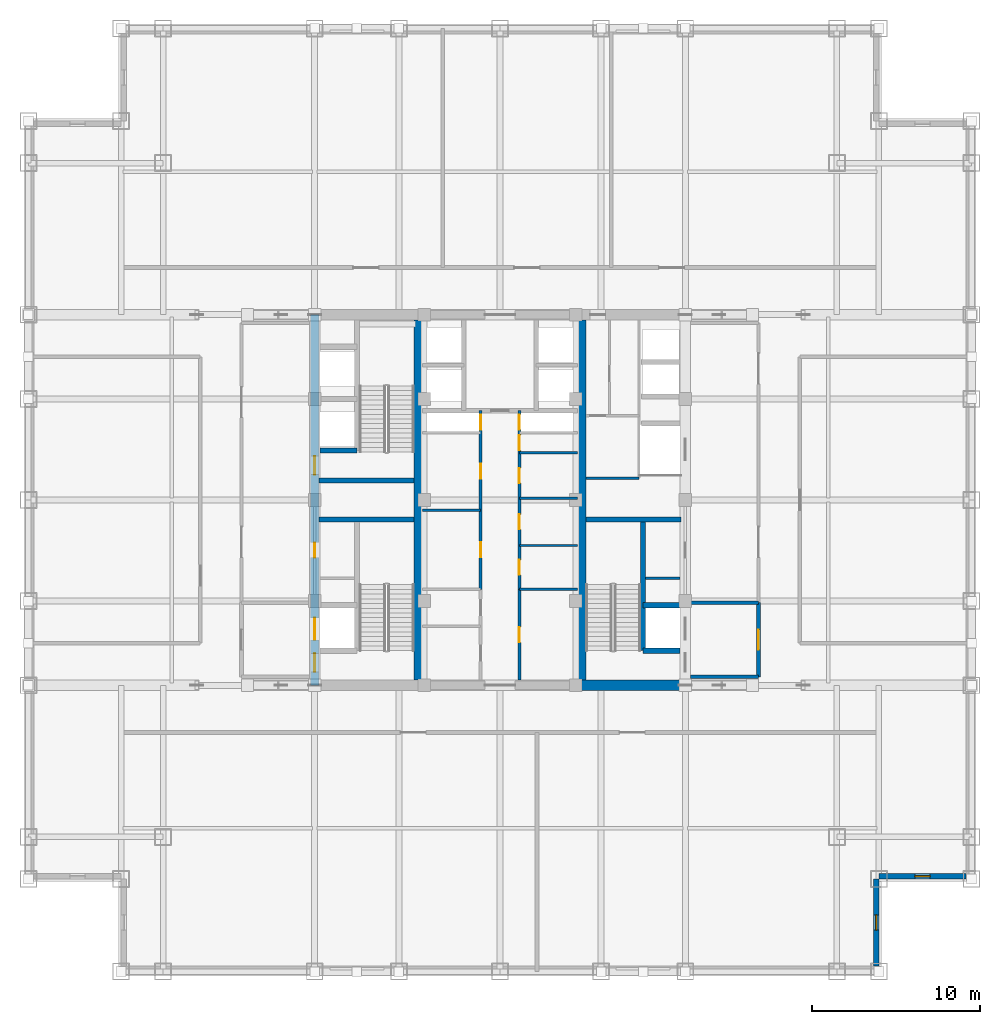
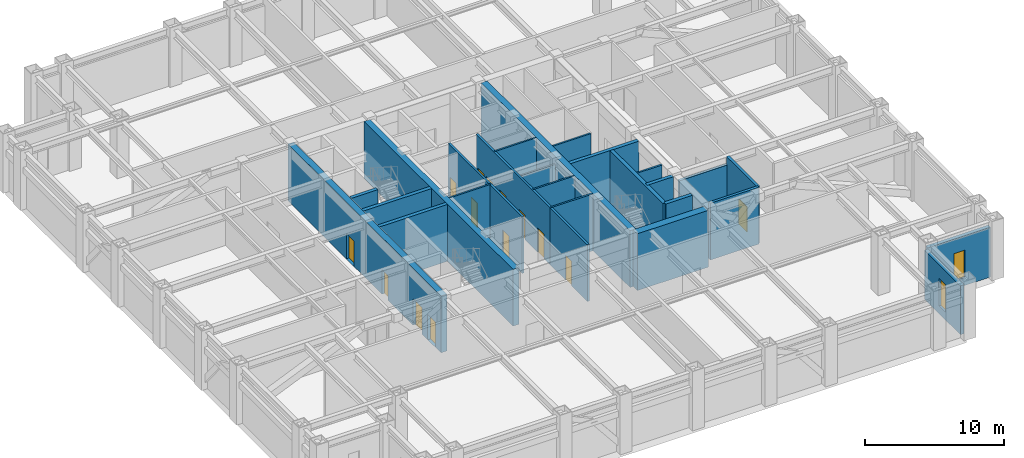
# One storey, part 7 of 11: 26 walls, 14 doors, 2 windows, 16 openings.
"""IFC4 building model written with IfcOpenShell, lengths in metres."""

from ifc_helpers import new_model, si_unit, direction, frame, frame_2d, origin, place, context, subcontext, project, spatial, rectangle, extrude, source, transform, mapped, material, layer, layer_set, type_object, element, fill, save


model = new_model("IFC4")

# Units and contexts
model_context = context("Model", 3, precision=1e-05, world=origin(), true_north=direction((0.0, 1.0)))
body_context = subcontext(model_context, "Body", "Model", "MODEL_VIEW")
ifc_project = project(units=[si_unit("LENGTHUNIT", "METRE"), si_unit("AREAUNIT", "SQUARE_METRE"), si_unit("VOLUMEUNIT", "CUBIC_METRE"), si_unit("PLANEANGLEUNIT", "RADIAN"), si_unit("MASSUNIT", "GRAM", prefix="KILO")], contexts=[model_context])

# Site, building, storey
site_placement = place(None, origin())
site = spatial("IfcSite", under=ifc_project, at=site_placement, CompositionType="ELEMENT")
building_placement = place(site_placement, origin())
building = spatial("IfcBuilding", under=site, at=building_placement, Name="Khorayat Bourse Tower", CompositionType="ELEMENT")
storey_placement = place(building_placement, frame((0.0, 0.0, 268.300048828125)))
storey = spatial("IfcBuildingStorey", under=building, at=storey_placement, Name="L63", CompositionType="ELEMENT", Elevation=268.300048828125)

# Walls
ifc_material_1 = material(Name="Concrete C52/65", Category="concrete")
ifc_layer_1 = layer(ifc_material_1, 0.5)
ifc_layer_set_1 = layer_set([ifc_layer_1], Name="Concrete C52/65")
wall_type_1 = type_object("IfcWallType", Name="WAL-CORE-500", PredefinedType="SHEAR", material=ifc_layer_set_1)
shared_shape_1 = source(origin(), body_context, "Body", "SweptSolid", [
    extrude(rectangle(XDim=21.39990234375, YDim=0.5, at=frame_2d((10.699951171875, 0.0))), origin(), (0.0, 0.0, 1.0), 4.97998046875),
])
for number, where, z_axis, x_axis, name in (
    (1, (-4.85009765625, -10.699951171875, 0.0), (0.0, 0.0, 1.0), (0.0, 1.0, 0.0), "L63 Core Shear Wall PIER-W"),
    (2, (4.85009765625, -10.699951171875, 0.0), (0.0, 0.0, 1.0), (0.0, 1.0, 0.0), "L63 Core Shear Wall PIER-E"),
):
    element("IfcWall", number, at=place(storey_placement, frame(where, z_axis=z_axis, x_axis=x_axis)), inside=storey, type_object=wall_type_1, Name=name, PredefinedType="SHEAR", context=body_context, shape_type="MappedRepresentation", body=[
        mapped(shared_shape_1, transform((0.0, 0.0, 0.0), scale=1.0)),
    ])

# Wall, openings, doors
shared_shape_2 = source(origin(), body_context, "Body", "SweptSolid", [
    extrude(rectangle(XDim=22.0, YDim=0.5, at=frame_2d((11.0, 0.0))), origin(), (0.0, 0.0, 1.0), 4.97998046875),
])
wall_1_placement = place(storey_placement, frame((-11.0, -11.0, 0.0), z_axis=(0.0, 0.0, 1.0), x_axis=(0.0, 1.0, 0.0)))
wall_1 = element("IfcWall", 3, at=wall_1_placement, inside=storey, type_object=wall_type_1, Name="L63 Core Shear Wall CORE-W", PredefinedType="SHEAR", context=body_context, shape_type="MappedRepresentation", body=[
    mapped(shared_shape_2, transform((0.0, 0.0, 0.0), scale=1.0)),
])
shared_shape_3 = source(origin(), body_context, "Body", "SweptSolid", [
    extrude(rectangle(XDim=1.10009765625, YDim=2.199951171875, at=frame_2d((0.550048828125, 1.10009765625))), frame((0.0, 0.260009765625, 0.0), z_axis=(0.0, -1.0, 0.0), x_axis=(1.0, 0.0, 0.0)), (0.0, 0.0, 1.0), 0.52001953125),
])
opening_1_placement = place(wall_1_placement, frame((0.800048828125, 0.0, 0.0)))
opening_1 = element("IfcOpeningElement", 4, at=opening_1_placement, cuts=wall_1, Name="Opening DI-01", PredefinedType="OPENING", context=body_context, shape_type="MappedRepresentation", body=[
    mapped(shared_shape_3, transform((0.0, 0.0, 0.0), scale=1.0)),
])
opening_2_placement = place(wall_1_placement, frame((12.5, 0.0, 0.0)))
opening_2 = element("IfcOpeningElement", 5, at=opening_2_placement, cuts=wall_1, Name="Opening DI-01", PredefinedType="OPENING", context=body_context, shape_type="MappedRepresentation", body=[
    mapped(shared_shape_3, transform((0.0, 0.0, 0.0), scale=1.0)),
])
shared_shape_4 = source(origin(), body_context, "Body", "SweptSolid", [
    extrude(rectangle(XDim=0.89990234375, YDim=2.14990234375, at=frame_2d((0.449951171875, 1.074951171875))), frame((0.0, 0.260009765625, 0.0), z_axis=(0.0, -1.0, 0.0), x_axis=(1.0, 0.0, 0.0)), (0.0, 0.0, 1.0), 0.52001953125),
])
opening_3_placement = place(wall_1_placement, frame((7.574951171875, 0.0, 0.0)))
opening_3 = element("IfcOpeningElement", 6, at=opening_3_placement, cuts=wall_1, Name="Opening DI-06", PredefinedType="OPENING", context=body_context, shape_type="MappedRepresentation", body=[
    mapped(shared_shape_4, transform((0.0, 0.0, 0.0), scale=1.0)),
])
shared_shape_5 = source(origin(), body_context, "Body", "SweptSolid", [
    extrude(rectangle(XDim=1.300048828125, YDim=2.300048828125, at=frame_2d((0.64990234375, 1.14990234375))), frame((0.0, 0.260009765625, 0.0), z_axis=(0.0, -1.0, 0.0), x_axis=(1.0, 0.0, 0.0)), (0.0, 0.0, 1.0), 0.52001953125),
])
opening_4_placement = place(wall_1_placement, frame((2.699951171875, 0.0, 0.0)))
opening_4 = element("IfcOpeningElement", 7, at=opening_4_placement, cuts=wall_1, Name="Opening LD-02", PredefinedType="OPENING", context=body_context, shape_type="MappedRepresentation", body=[
    mapped(shared_shape_5, transform((0.0, 0.0, 0.0), scale=1.0)),
])
ifc_material_2 = material(Name="Fire-rated steel acoustic leaf", Category="steel")
door_type_1 = type_object("IfcDoorType", Name="DR-INT-STAIR-1100", OperationType="NOTDEFINED", PredefinedType="DOOR", material=ifc_material_2)
shared_shape_6 = source(origin(), body_context, "Body", "SweptSolid", [
    extrude(rectangle(XDim=1.10009765625, YDim=2.199951171875, at=frame_2d((0.550048828125, 1.10009765625))), frame((0.0, 0.02490234375, 0.0), z_axis=(0.0, -1.0, 0.0), x_axis=(1.0, 0.0, 0.0)), (0.0, 0.0, 1.0), 0.050048828125),
])
door_1_placement = place(opening_1_placement, origin())
door_1 = element("IfcDoor", 8, at=door_1_placement, inside=storey, type_object=door_type_1, Name="L63 Exit Stair 1 Door", OperationType="SINGLE_SWING_RIGHT", OverallHeight=2.199951171875, OverallWidth=1.10009765625, PredefinedType="DOOR", context=body_context, shape_type="MappedRepresentation", body=[
    mapped(shared_shape_6, transform((0.0, 0.0, 0.0), scale=1.0)),
])
fill(opening_1, door_1)
door_2_placement = place(opening_2_placement, origin())
door_2 = element("IfcDoor", 9, at=door_2_placement, inside=storey, type_object=door_type_1, Name="L63 Exit Stair 2 Door", OperationType="SINGLE_SWING_RIGHT", OverallHeight=2.199951171875, OverallWidth=1.10009765625, PredefinedType="DOOR", context=body_context, shape_type="MappedRepresentation", body=[
    mapped(shared_shape_6, transform((0.0, 0.0, 0.0), scale=1.0)),
])
fill(opening_2, door_2)
ifc_material_3 = material(Name="Moisture-resistant laminate washroom door")
door_type_2 = type_object("IfcDoorType", Name="DR-INT-WC-900", OperationType="NOTDEFINED", PredefinedType="DOOR", material=ifc_material_3)
shared_shape_7 = source(origin(), body_context, "Body", "SweptSolid", [
    extrude(rectangle(XDim=0.89990234375, YDim=2.14990234375, at=frame_2d((0.449951171875, 1.074951171875))), frame((0.0, 0.02490234375, 0.0), z_axis=(0.0, -1.0, 0.0), x_axis=(1.0, 0.0, 0.0)), (0.0, 0.0, 1.0), 0.050048828125),
])
door_3_placement = place(opening_3_placement, origin())
door_3 = element("IfcDoor", 10, at=door_3_placement, inside=storey, type_object=door_type_2, Name="L63 UPS Switch Plant Room Door", OperationType="SINGLE_SWING_RIGHT", OverallHeight=2.14990234375, OverallWidth=0.89990234375, PredefinedType="DOOR", context=body_context, shape_type="MappedRepresentation", body=[
    mapped(shared_shape_7, transform((0.0, 0.0, 0.0), scale=1.0)),
])
fill(opening_3, door_3)
ifc_material_4 = material(Name="Fire-rated stainless-steel sliding landing door", Category="steel")
door_type_3 = type_object("IfcDoorType", Name="DR-LIFT-FF-1300", OperationType="NOTDEFINED", PredefinedType="DOOR", material=ifc_material_4)
shared_shape_8 = source(origin(), body_context, "Body", "SweptSolid", [
    extrude(rectangle(XDim=1.300048828125, YDim=2.300048828125, at=frame_2d((0.64990234375, 1.14990234375))), frame((0.0, 0.02490234375, 0.0), z_axis=(0.0, -1.0, 0.0), x_axis=(1.0, 0.0, 0.0)), (0.0, 0.0, 1.0), 0.050048828125),
])
door_4_placement = place(opening_4_placement, origin())
door_4 = element("IfcDoor", 11, at=door_4_placement, inside=storey, type_object=door_type_3, Name="L63 Lift FFL-01 Sliding Landing Door", OperationType="SLIDING_TO_LEFT", OverallHeight=2.300048828125, OverallWidth=1.300048828125, PredefinedType="DOOR", context=body_context, shape_type="MappedRepresentation", body=[
    mapped(shared_shape_8, transform((0.0, 0.0, 0.0), scale=1.0)),
])
fill(opening_4, door_4)

# Walls
ifc_material_5 = material(Name="Concrete C60/75", Category="concrete")
ifc_layer_2 = layer(ifc_material_5, 0.60009765625)
ifc_layer_set_2 = layer_set([ifc_layer_2], Name="Concrete C60/75")
wall_type_2 = type_object("IfcWallType", Name="WAL-CORE-600", PredefinedType="SHEAR", material=ifc_layer_set_2)
shared_shape_9 = source(origin(), body_context, "Body", "SweptSolid", [
    extrude(rectangle(XDim=5.89990234375, YDim=0.60009765625, at=frame_2d((2.949951171875, 0.0))), origin(), (0.0, 0.0, 1.0), 4.97998046875),
])
wall_2_placement = place(storey_placement, frame((4.85009765625, -11.0, 0.0), z_axis=(0.0, 0.0, 1.0), x_axis=(1.0, 0.0, 0.0)))
element("IfcWall", 12, at=wall_2_placement, inside=storey, type_object=wall_type_2, Name="L63 Core Shear Wall PIER-ES", PredefinedType="SHEAR", context=body_context, shape_type="MappedRepresentation", body=[
    mapped(shared_shape_9, transform((0.0, 0.0, 0.0), scale=1.0)),
])
ifc_material_6 = material(Name="Concrete C50/60", Category="concrete")
ifc_layer_3 = layer(ifc_material_6, 0.300048828125)
ifc_layer_set_3 = layer_set([ifc_layer_3], Name="Concrete C50/60")
wall_type_3 = type_object("IfcWallType", Name="WAL-SHAFT-300", PredefinedType="SHEAR", material=ifc_layer_set_3)
shared_shape_10 = source(origin(), body_context, "Body", "SweptSolid", [
    extrude(rectangle(XDim=5.64990234375, YDim=0.300048828125, at=frame_2d((2.824951171875, 0.0))), origin(), (0.0, 0.0, 1.0), 4.97998046875),
])
for number, where, z_axis, x_axis, name in (
    (13, (-10.75, -1.14990234375, 0.0), (0.0, 0.0, 1.0), (1.0, 0.0, 0.0), "L63 Core Shear Wall ST1-DIV"),
    (14, (-10.75, 1.14990234375, 0.0), (0.0, 0.0, 1.0), (1.0, 0.0, 0.0), "L63 Core Shear Wall ST2-DIV"),
    (15, (5.10009765625, -1.14990234375, 0.0), (0.0, 0.0, 1.0), (1.0, 0.0, 0.0), "L63 Core Shear Wall ST3-DIV"),
):
    element("IfcWall", number, at=place(storey_placement, frame(where, z_axis=z_axis, x_axis=x_axis)), inside=storey, type_object=wall_type_3, Name=name, PredefinedType="SHEAR", context=body_context, shape_type="MappedRepresentation", body=[
        mapped(shared_shape_10, transform((0.0, 0.0, 0.0), scale=1.0)),
    ])

# Wall, opening, window
ifc_material_7 = material(Name="Precast concrete C45/55", Category="concrete")
ifc_layer_4 = layer(ifc_material_7, 0.320068359375)
ifc_layer_set_4 = layer_set([ifc_layer_4], Name="Precast concrete C45/55")
wall_type_4 = type_object("IfcWallType", Name="WAL-EXT-STONE-320", PredefinedType="STANDARD", material=ifc_layer_set_4)
shared_shape_11 = source(origin(), body_context, "Body", "SweptSolid", [
    extrude(rectangle(XDim=5.179931640625, YDim=0.320068359375, at=frame_2d((2.58984375, 0.0))), origin(), (0.0, 0.0, 1.0), 4.364013671875),
])
wall_3_placement = place(storey_placement, frame((22.5, -22.340087890625, 0.0), z_axis=(0.0, 0.0, 1.0), x_axis=(1.0, 0.0, 0.0)))
wall_3 = element("IfcWall", 16, at=wall_3_placement, inside=storey, type_object=wall_type_4, Name="L63 Re-Entrant Notch Limestone Wall SE-H", PredefinedType="STANDARD", context=body_context, shape_type="MappedRepresentation", body=[
    mapped(shared_shape_11, transform((0.0, 0.0, 0.0), scale=1.0)),
])
shared_shape_12 = source(origin(), body_context, "Body", "SweptSolid", [
    extrude(rectangle(XDim=0.89990234375, YDim=2.39990234375, at=frame_2d((0.449951171875, 1.199951171875))), frame((0.0, 0.169921875, 0.0), z_axis=(0.0, -1.0, 0.0), x_axis=(1.0, 0.0, 0.0)), (0.0, 0.0, 1.0), 0.340087890625),
])
opening_5_placement = place(wall_3_placement, frame((2.139892578125, 0.0, 0.699951171875)))
opening_5 = element("IfcOpeningElement", 17, at=opening_5_placement, cuts=wall_3, Name="Opening WN-03", PredefinedType="OPENING", context=body_context, shape_type="MappedRepresentation", body=[
    mapped(shared_shape_12, transform((0.0, 0.0, 0.0), scale=1.0)),
])
ifc_material_8 = material(Name="Deep-reveal solar-control double glazing", Category="glass")
window_type = type_object("IfcWindowType", Name="WIN-SLOT-900x2400", PartitioningType="SINGLE_PANEL", PredefinedType="WINDOW", material=ifc_material_8)
shared_shape_13 = source(origin(), body_context, "Body", "SweptSolid", [
    extrude(rectangle(XDim=0.89990234375, YDim=2.39990234375, at=frame_2d((0.449951171875, 1.199951171875))), frame((0.0, 0.030029296875, 0.0), z_axis=(0.0, -1.0, 0.0), x_axis=(1.0, 0.0, 0.0)), (0.0, 0.0, 1.0), 0.06005859375),
])
window_1_placement = place(opening_5_placement, origin())
window_1 = element("IfcWindow", 18, at=window_1_placement, inside=storey, type_object=window_type, Name="L63 Facade Window 1", OverallHeight=2.39990234375, OverallWidth=0.89990234375, PartitioningType="SINGLE_PANEL", PredefinedType="WINDOW", context=body_context, shape_type="MappedRepresentation", body=[
    mapped(shared_shape_13, transform((0.0, 0.0, 0.0), scale=1.0)),
])
fill(opening_5, window_1)

shared_shape_14 = source(origin(), body_context, "Body", "SweptSolid", [
    extrude(rectangle(XDim=5.179931640625, YDim=0.320068359375, at=frame_2d((2.58984375, 0.0))), origin(), (0.0, 0.0, 1.0), 4.283935546875),
])
wall_4_placement = place(storey_placement, frame((22.340087890625, -27.679931640625, 0.0), z_axis=(0.0, 0.0, 1.0), x_axis=(0.0, 1.0, 0.0)))
wall_4 = element("IfcWall", 19, at=wall_4_placement, inside=storey, type_object=wall_type_4, Name="L63 Re-Entrant Notch Limestone Wall SE-V", PredefinedType="STANDARD", context=body_context, shape_type="MappedRepresentation", body=[
    mapped(shared_shape_14, transform((0.0, 0.0, 0.0), scale=1.0)),
])
opening_6_placement = place(wall_4_placement, frame((2.139892578125, 0.0, 0.699951171875)))
opening_6 = element("IfcOpeningElement", 20, at=opening_6_placement, cuts=wall_4, Name="Opening WN-03", PredefinedType="OPENING", context=body_context, shape_type="MappedRepresentation", body=[
    mapped(shared_shape_12, transform((0.0, 0.0, 0.0), scale=1.0)),
])
window_2_placement = place(opening_6_placement, origin())
window_2 = element("IfcWindow", 21, at=window_2_placement, inside=storey, type_object=window_type, Name="L63 Facade Window 1", OverallHeight=2.39990234375, OverallWidth=0.89990234375, PartitioningType="SINGLE_PANEL", PredefinedType="WINDOW", context=body_context, shape_type="MappedRepresentation", body=[
    mapped(shared_shape_13, transform((0.0, 0.0, 0.0), scale=1.0)),
])
fill(opening_6, window_2)

# Walls
shared_shape_15 = source(origin(), body_context, "Body", "SweptSolid", [
    extrude(rectangle(XDim=7.800048828125, YDim=0.300048828125, at=frame_2d((3.89990234375, 0.0))), origin(), (0.0, 0.0, 1.0), 4.97998046875),
])
wall_5_placement = place(storey_placement, frame((8.5, -8.949951171875, 0.0), z_axis=(0.0, 0.0, 1.0), x_axis=(0.0, 1.0, 0.0)))
element("IfcWall", 22, at=wall_5_placement, inside=storey, type_object=wall_type_3, Name="L63 Partition WAL-L63-EPIER-SP", PredefinedType="SHEAR", context=body_context, shape_type="MappedRepresentation", body=[
    mapped(shared_shape_15, transform((0.0, 0.0, 0.0), scale=1.0)),
])
shared_shape_16 = source(origin(), body_context, "Body", "SweptSolid", [
    extrude(rectangle(XDim=2.199951171875, YDim=0.300048828125, at=frame_2d((1.10009765625, 0.0))), origin(), (0.0, 0.0, 1.0), 4.97998046875),
])
for number, where, z_axis, x_axis, name in (
    (23, (-10.699951171875, 2.949951171875, 0.0), (0.0, 0.0, 1.0), (1.0, 0.0, 0.0), "L63 Partition WAL-L63-WPIER-H1S"),
    (24, (8.5, -8.949951171875, 0.0), (0.0, 0.0, 1.0), (1.0, 0.0, 0.0), "L63 Partition WAL-L63-EPIER-FF2S"),
    (25, (8.5, -6.25, 0.0), (0.0, 0.0, 1.0), (1.0, 0.0, 0.0), "L63 Partition WAL-L63-EPIER-FF2N"),
):
    element("IfcWall", number, at=place(storey_placement, frame(where, z_axis=z_axis, x_axis=x_axis)), inside=storey, type_object=wall_type_3, Name=name, PredefinedType="SHEAR", context=body_context, shape_type="MappedRepresentation", body=[
        mapped(shared_shape_16, transform((0.0, 0.0, 0.0), scale=1.0)),
    ])
ifc_material_9 = material(Name="Gypsum plasterboard twin-frame partition")
ifc_layer_5 = layer(ifc_material_9, 0.14990234375)
ifc_layer_set_5 = layer_set([ifc_layer_5], Name="Gypsum plasterboard twin-frame partition")
wall_type_5 = type_object("IfcWallType", Name="WAL-PART-SUITE-150", PredefinedType="PARTITIONING", material=ifc_layer_set_5)
shared_shape_17 = source(origin(), body_context, "Body", "SweptSolid", [
    extrude(rectangle(XDim=2.050048828125, YDim=0.14990234375, at=frame_2d((1.02490234375, 0.0))), origin(), (0.0, 0.0, 1.0), 4.97998046875),
])
wall_6_placement = place(storey_placement, frame((8.64990234375, -4.64990234375, 0.0), z_axis=(0.0, 0.0, 1.0), x_axis=(1.0, 0.0, 0.0)))
element("IfcWall", 26, at=wall_6_placement, inside=storey, type_object=wall_type_5, Name="L63 Partition WAL-L63-ESRV-S0", PredefinedType="PARTITIONING", context=body_context, shape_type="MappedRepresentation", body=[
    mapped(shared_shape_17, transform((0.0, 0.0, 0.0), scale=1.0)),
])
ifc_material_10 = material(Name="Moisture-resistant masonry partition", Category="masonry")
ifc_layer_6 = layer(ifc_material_10, 0.139892578125)
ifc_layer_set_6 = layer_set([ifc_layer_6], Name="Moisture-resistant masonry partition")
wall_type_6 = type_object("IfcWallType", Name="WAL-PART-WET-140", PredefinedType="PARTITIONING", material=ifc_layer_set_6)
shared_shape_18 = source(origin(), body_context, "Body", "SweptSolid", [
    extrude(rectangle(XDim=3.14990234375, YDim=0.139892578125, at=frame_2d((1.574951171875, 0.0))), origin(), (0.0, 0.0, 1.0), 4.97998046875),
])
wall_7_placement = place(storey_placement, frame((5.10009765625, 1.300048828125, 0.0), z_axis=(0.0, 0.0, 1.0), x_axis=(1.0, 0.0, 0.0)))
element("IfcWall", 27, at=wall_7_placement, inside=storey, type_object=wall_type_6, Name="L63 Partition WAL-L63-ECORE-S", PredefinedType="PARTITIONING", context=body_context, shape_type="MappedRepresentation", body=[
    mapped(shared_shape_18, transform((0.0, 0.0, 0.0), scale=1.0)),
])
ifc_material_11 = material(Name="Aerated concrete blockwork", Category="masonry")
ifc_layer_7 = layer(ifc_material_11, 0.219970703125)
ifc_layer_set_7 = layer_set([ifc_layer_7], Name="Aerated concrete blockwork")
wall_type_7 = type_object("IfcWallType", Name="WAL-PART-FF-220", PredefinedType="PARTITIONING", material=ifc_layer_set_7)
shared_shape_19 = source(origin(), body_context, "Body", "SweptSolid", [
    extrude(rectangle(XDim=4.050048828125, YDim=0.219970703125, at=frame_2d((2.02490234375, 0.0))), origin(), (0.0, 0.0, 1.0), 4.97998046875),
])
wall_8_placement = place(storey_placement, frame((11.300048828125, -10.5, 0.0), z_axis=(0.0, 0.0, 1.0), x_axis=(1.0, 0.0, 0.0)))
element("IfcWall", 28, at=wall_8_placement, inside=storey, type_object=wall_type_7, Name="L63 Partition WAL-L63-FFLE-S", PredefinedType="PARTITIONING", context=body_context, shape_type="MappedRepresentation", body=[
    mapped(shared_shape_19, transform((0.0, 0.0, 0.0), scale=1.0)),
])

# Wall, opening, door
shared_shape_20 = source(origin(), body_context, "Body", "SweptSolid", [
    extrude(rectangle(XDim=4.39990234375, YDim=0.219970703125, at=frame_2d((2.199951171875, 0.0))), origin(), (0.0, 0.0, 1.0), 4.97998046875),
])
wall_9_placement = place(storey_placement, frame((15.35009765625, -10.5, 0.0), z_axis=(0.0, 0.0, 1.0), x_axis=(0.0, 1.0, 0.0)))
wall_9 = element("IfcWall", 29, at=wall_9_placement, inside=storey, type_object=wall_type_7, Name="L63 Partition WAL-L63-FFLE-E", PredefinedType="PARTITIONING", context=body_context, shape_type="MappedRepresentation", body=[
    mapped(shared_shape_20, transform((0.0, 0.0, 0.0), scale=1.0)),
])
shared_shape_21 = source(origin(), body_context, "Body", "SweptSolid", [
    extrude(rectangle(XDim=1.199951171875, YDim=2.199951171875, at=frame_2d((0.60009765625, 1.10009765625))), frame((0.0, 0.119873046875, 0.0), z_axis=(0.0, -1.0, 0.0), x_axis=(1.0, 0.0, 0.0)), (0.0, 0.0, 1.0), 0.239990234375),
])
opening_7_placement = place(wall_9_placement, frame((1.60009765625, 0.0, 0.0)))
opening_7 = element("IfcOpeningElement", 30, at=opening_7_placement, cuts=wall_9, Name="Opening DI-02", PredefinedType="OPENING", context=body_context, shape_type="MappedRepresentation", body=[
    mapped(shared_shape_21, transform((0.0, 0.0, 0.0), scale=1.0)),
])
ifc_material_12 = material(Name="Fire-rated steel double-seal leaf", Category="steel")
door_type_4 = type_object("IfcDoorType", Name="DR-INT-FFLOBBY-1200", OperationType="NOTDEFINED", PredefinedType="DOOR", material=ifc_material_12)
shared_shape_22 = source(origin(), body_context, "Body", "SweptSolid", [
    extrude(rectangle(XDim=1.199951171875, YDim=2.199951171875, at=frame_2d((0.60009765625, 1.10009765625))), frame((0.0, 0.02490234375, 0.0), z_axis=(0.0, -1.0, 0.0), x_axis=(1.0, 0.0, 0.0)), (0.0, 0.0, 1.0), 0.050048828125),
])
door_5_placement = place(opening_7_placement, origin())
door_5 = element("IfcDoor", 31, at=door_5_placement, inside=storey, type_object=door_type_4, Name="L63 East Firefighting Lobby Door", OperationType="SINGLE_SWING_RIGHT", OverallHeight=2.199951171875, OverallWidth=1.199951171875, PredefinedType="DOOR", context=body_context, shape_type="MappedRepresentation", body=[
    mapped(shared_shape_22, transform((0.0, 0.0, 0.0), scale=1.0)),
])
fill(opening_7, door_5)

# Walls
shared_shape_23 = source(origin(), body_context, "Body", "SweptSolid", [
    extrude(rectangle(XDim=3.4501953125, YDim=0.14990234375, at=frame_2d((1.72509765625, 0.0))), origin(), (0.0, 0.0, 1.0), 4.97998046875),
])
wall_10_placement = place(storey_placement, frame((1.14990234375, -5.300048828125, 0.0), z_axis=(0.0, 0.0, 1.0), x_axis=(1.0, 0.0, 0.0)))
element("IfcWall", 32, at=wall_10_placement, inside=storey, type_object=wall_type_5, Name="L63 Partition WAL-L63-FB1-NE", PredefinedType="PARTITIONING", context=body_context, shape_type="MappedRepresentation", body=[
    mapped(shared_shape_23, transform((0.0, 0.0, 0.0), scale=1.0)),
])
shared_shape_24 = source(origin(), body_context, "Body", "SweptSolid", [
    extrude(rectangle(XDim=3.4501953125, YDim=0.139892578125, at=frame_2d((1.72509765625, 0.0))), origin(), (0.0, 0.0, 1.0), 4.97998046875),
])
for number, where, z_axis, x_axis, name in (
    (33, (-4.60009765625, -0.60009765625, 0.0), (0.0, 0.0, 1.0), (1.0, 0.0, 0.0), "L63 Partition WAL-L63-CMW-D1"),
    (34, (1.14990234375, -2.699951171875, 0.0), (0.0, 0.0, 1.0), (1.0, 0.0, 0.0), "L63 Partition WAL-L63-CME-D1"),
    (35, (1.14990234375, 2.800048828125, 0.0), (0.0, 0.0, 1.0), (1.0, 0.0, 0.0), "L63 Partition WAL-L63-CME-D3"),
):
    element("IfcWall", number, at=place(storey_placement, frame(where, z_axis=z_axis, x_axis=x_axis)), inside=storey, type_object=wall_type_6, Name=name, PredefinedType="PARTITIONING", context=body_context, shape_type="MappedRepresentation", body=[
        mapped(shared_shape_24, transform((0.0, 0.0, 0.0), scale=1.0)),
    ])

# Wall, openings, doors
ifc_material_13 = material(Name="Gypsum plasterboard acoustic stud wall")
ifc_layer_8 = layer(ifc_material_13, 0.179931640625)
ifc_layer_set_8 = layer_set([ifc_layer_8], Name="Gypsum plasterboard acoustic stud wall")
wall_type_8 = type_object("IfcWallType", Name="WAL-PART-CORR-180", PredefinedType="PARTITIONING", material=ifc_layer_set_8)
shared_shape_25 = source(origin(), body_context, "Body", "SweptSolid", [
    extrude(rectangle(XDim=10.60009765625, YDim=0.179931640625, at=frame_2d((5.300048828125, 0.0))), origin(), (0.0, 0.0, 1.0), 4.97998046875),
])
wall_11_placement = place(storey_placement, frame((-1.14990234375, -5.300048828125, 0.0), z_axis=(0.0, 0.0, 1.0), x_axis=(0.0, 1.0, 0.0)))
wall_11 = element("IfcWall", 36, at=wall_11_placement, inside=storey, type_object=wall_type_8, Name="L63 Partition WAL-L63-CMW-L", PredefinedType="PARTITIONING", context=body_context, shape_type="MappedRepresentation", body=[
    mapped(shared_shape_25, transform((0.0, 0.0, 0.0), scale=1.0)),
])
shared_shape_26 = source(origin(), body_context, "Body", "SweptSolid", [
    extrude(rectangle(XDim=0.89990234375, YDim=2.14990234375, at=frame_2d((0.449951171875, 1.074951171875))), frame((0.0, 0.099853515625, 0.0), z_axis=(0.0, -1.0, 0.0), x_axis=(1.0, 0.0, 0.0)), (0.0, 0.0, 1.0), 0.199951171875),
])
opening_8_placement = place(wall_11_placement, frame((1.89990234375, 0.0, 0.0)))
opening_8 = element("IfcOpeningElement", 37, at=opening_8_placement, cuts=wall_11, Name="Opening DI-06", PredefinedType="OPENING", context=body_context, shape_type="MappedRepresentation", body=[
    mapped(shared_shape_26, transform((0.0, 0.0, 0.0), scale=1.0)),
])
opening_9_placement = place(wall_11_placement, frame((6.550048828125, 0.0, 0.0)))
opening_9 = element("IfcOpeningElement", 38, at=opening_9_placement, cuts=wall_11, Name="Opening DI-06", PredefinedType="OPENING", context=body_context, shape_type="MappedRepresentation", body=[
    mapped(shared_shape_26, transform((0.0, 0.0, 0.0), scale=1.0)),
])
opening_10_placement = place(wall_11_placement, frame((9.47509765625, 0.0, 0.0)))
opening_10 = element("IfcOpeningElement", 39, at=opening_10_placement, cuts=wall_11, Name="Opening DI-06", PredefinedType="OPENING", context=body_context, shape_type="MappedRepresentation", body=[
    mapped(shared_shape_26, transform((0.0, 0.0, 0.0), scale=1.0)),
])
door_6_placement = place(opening_8_placement, origin())
door_6 = element("IfcDoor", 40, at=door_6_placement, inside=storey, type_object=door_type_2, Name="L63 Male Core Washroom Door", OperationType="SINGLE_SWING_RIGHT", OverallHeight=2.14990234375, OverallWidth=0.89990234375, PredefinedType="DOOR", context=body_context, shape_type="MappedRepresentation", body=[
    mapped(shared_shape_7, transform((0.0, 0.0, 0.0), scale=1.0)),
])
fill(opening_8, door_6)
door_7_placement = place(opening_9_placement, origin())
door_7 = element("IfcDoor", 41, at=door_7_placement, inside=storey, type_object=door_type_2, Name="L63 Chilled Water Riser Plant Room Door", OperationType="SINGLE_SWING_LEFT", OverallHeight=2.14990234375, OverallWidth=0.89990234375, PredefinedType="DOOR", context=body_context, shape_type="MappedRepresentation", body=[
    mapped(shared_shape_7, transform((0.0, 0.0, 0.0), scale=1.0)),
])
fill(opening_9, door_7)
door_8_placement = place(opening_10_placement, origin())
door_8 = element("IfcDoor", 42, at=door_8_placement, inside=storey, type_object=door_type_2, Name="L63 West Core Riser Door", OperationType="SINGLE_SWING_LEFT", OverallHeight=2.14990234375, OverallWidth=0.89990234375, PredefinedType="DOOR", context=body_context, shape_type="MappedRepresentation", body=[
    mapped(shared_shape_7, transform((0.0, 0.0, 0.0), scale=1.0)),
])
fill(opening_10, door_8)

wall_12_placement = place(storey_placement, frame((1.14990234375, -5.300048828125, 0.0), z_axis=(0.0, 0.0, 1.0), x_axis=(0.0, 1.0, 0.0)))
wall_12 = element("IfcWall", 43, at=wall_12_placement, inside=storey, type_object=wall_type_8, Name="L63 Partition WAL-L63-CME-L", PredefinedType="PARTITIONING", context=body_context, shape_type="MappedRepresentation", body=[
    mapped(shared_shape_25, transform((0.0, 0.0, 0.0), scale=1.0)),
])
opening_11_placement = place(wall_12_placement, frame((0.85009765625, 0.0, 0.0)))
opening_11 = element("IfcOpeningElement", 44, at=opening_11_placement, cuts=wall_12, Name="Opening DI-06", PredefinedType="OPENING", context=body_context, shape_type="MappedRepresentation", body=[
    mapped(shared_shape_26, transform((0.0, 0.0, 0.0), scale=1.0)),
])
opening_12_placement = place(wall_12_placement, frame((3.550048828125, 0.0, 0.0)))
opening_12 = element("IfcOpeningElement", 45, at=opening_12_placement, cuts=wall_12, Name="Opening DI-06", PredefinedType="OPENING", context=body_context, shape_type="MappedRepresentation", body=[
    mapped(shared_shape_26, transform((0.0, 0.0, 0.0), scale=1.0)),
])
opening_13_placement = place(wall_12_placement, frame((6.300048828125, 0.0, 0.0)))
opening_13 = element("IfcOpeningElement", 46, at=opening_13_placement, cuts=wall_12, Name="Opening DI-06", PredefinedType="OPENING", context=body_context, shape_type="MappedRepresentation", body=[
    mapped(shared_shape_26, transform((0.0, 0.0, 0.0), scale=1.0)),
])
opening_14_placement = place(wall_12_placement, frame((8.25, 0.0, 0.0)))
opening_14 = element("IfcOpeningElement", 47, at=opening_14_placement, cuts=wall_12, Name="Opening DI-06", PredefinedType="OPENING", context=body_context, shape_type="MappedRepresentation", body=[
    mapped(shared_shape_26, transform((0.0, 0.0, 0.0), scale=1.0)),
])
opening_15_placement = place(wall_12_placement, frame((9.47509765625, 0.0, 0.0)))
opening_15 = element("IfcOpeningElement", 48, at=opening_15_placement, cuts=wall_12, Name="Opening DI-06", PredefinedType="OPENING", context=body_context, shape_type="MappedRepresentation", body=[
    mapped(shared_shape_26, transform((0.0, 0.0, 0.0), scale=1.0)),
])
door_9_placement = place(opening_11_placement, origin())
door_9 = element("IfcDoor", 49, at=door_9_placement, inside=storey, type_object=door_type_2, Name="L63 Female Core Washroom Door", OperationType="SINGLE_SWING_RIGHT", OverallHeight=2.14990234375, OverallWidth=0.89990234375, PredefinedType="DOOR", context=body_context, shape_type="MappedRepresentation", body=[
    mapped(shared_shape_7, transform((0.0, 0.0, 0.0), scale=1.0)),
])
fill(opening_11, door_9)
door_10_placement = place(opening_12_placement, origin())
door_10 = element("IfcDoor", 50, at=door_10_placement, inside=storey, type_object=door_type_2, Name="L63 Comms Patch Room Door", OperationType="SINGLE_SWING_LEFT", OverallHeight=2.14990234375, OverallWidth=0.89990234375, PredefinedType="DOOR", context=body_context, shape_type="MappedRepresentation", body=[
    mapped(shared_shape_7, transform((0.0, 0.0, 0.0), scale=1.0)),
])
fill(opening_12, door_10)
door_11_placement = place(opening_13_placement, origin())
door_11 = element("IfcDoor", 51, at=door_11_placement, inside=storey, type_object=door_type_2, Name="L63 Janitor Cupboard Door", OperationType="SINGLE_SWING_RIGHT", OverallHeight=2.14990234375, OverallWidth=0.89990234375, PredefinedType="DOOR", context=body_context, shape_type="MappedRepresentation", body=[
    mapped(shared_shape_7, transform((0.0, 0.0, 0.0), scale=1.0)),
])
fill(opening_13, door_11)
door_12_placement = place(opening_14_placement, origin())
door_12 = element("IfcDoor", 52, at=door_12_placement, inside=storey, type_object=door_type_2, Name="L63 Fire Valve Plant Room Door", OperationType="SINGLE_SWING_LEFT", OverallHeight=2.14990234375, OverallWidth=0.89990234375, PredefinedType="DOOR", context=body_context, shape_type="MappedRepresentation", body=[
    mapped(shared_shape_7, transform((0.0, 0.0, 0.0), scale=1.0)),
])
fill(opening_14, door_12)
door_13_placement = place(opening_15_placement, origin())
door_13 = element("IfcDoor", 53, at=door_13_placement, inside=storey, type_object=door_type_2, Name="L63 East Core Riser Door", OperationType="SINGLE_SWING_RIGHT", OverallHeight=2.14990234375, OverallWidth=0.89990234375, PredefinedType="DOOR", context=body_context, shape_type="MappedRepresentation", body=[
    mapped(shared_shape_7, transform((0.0, 0.0, 0.0), scale=1.0)),
])
fill(opening_15, door_13)

# Wall
shared_shape_27 = source(origin(), body_context, "Body", "SweptSolid", [
    extrude(rectangle(XDim=4.050048828125, YDim=0.219970703125, at=frame_2d((2.02490234375, 0.0))), origin(), (0.0, 0.0, 1.0), 4.284912109375),
])
wall_13_placement = place(storey_placement, frame((11.300048828125, -6.10009765625, 0.0), z_axis=(0.0, 0.0, 1.0), x_axis=(1.0, 0.0, 0.0)))
element("IfcWall", 54, at=wall_13_placement, inside=storey, type_object=wall_type_7, Name="L63 Partition WAL-L63-FFLE-N", PredefinedType="PARTITIONING", context=body_context, shape_type="MappedRepresentation", body=[
    mapped(shared_shape_27, transform((0.0, 0.0, 0.0), scale=1.0)),
])

# Wall, opening, door
shared_shape_28 = source(origin(), body_context, "Body", "SweptSolid", [
    extrude(rectangle(XDim=5.39990234375, YDim=0.179931640625, at=frame_2d((2.699951171875, 0.0))), origin(), (0.0, 0.0, 1.0), 4.97998046875),
])
wall_14_placement = place(storey_placement, frame((1.14990234375, -10.699951171875, 0.0), z_axis=(0.0, 0.0, 1.0), x_axis=(0.0, 1.0, 0.0)))
wall_14 = element("IfcWall", 55, at=wall_14_placement, inside=storey, type_object=wall_type_8, Name="L63 Partition WAL-L63-FB1E-L", PredefinedType="PARTITIONING", context=body_context, shape_type="MappedRepresentation", body=[
    mapped(shared_shape_28, transform((0.0, 0.0, 0.0), scale=1.0)),
])
opening_16_placement = place(wall_14_placement, frame((2.25, 0.0, 0.0)))
opening_16 = element("IfcOpeningElement", 56, at=opening_16_placement, cuts=wall_14, Name="Opening DI-06", PredefinedType="OPENING", context=body_context, shape_type="MappedRepresentation", body=[
    mapped(shared_shape_26, transform((0.0, 0.0, 0.0), scale=1.0)),
])
door_14_placement = place(opening_16_placement, origin())
door_14 = element("IfcDoor", 57, at=door_14_placement, inside=storey, type_object=door_type_2, Name="L63 Telemetry Server Plant Room Door", OperationType="SINGLE_SWING_RIGHT", OverallHeight=2.14990234375, OverallWidth=0.89990234375, PredefinedType="DOOR", context=body_context, shape_type="MappedRepresentation", body=[
    mapped(shared_shape_7, transform((0.0, 0.0, 0.0), scale=1.0)),
])
fill(opening_16, door_14)

# Wall
shared_shape_29 = source(origin(), body_context, "Body", "SweptSolid", [
    extrude(rectangle(XDim=3.4501953125, YDim=0.139892578125, at=frame_2d((1.72509765625, 0.0))), origin(), (0.0, 0.0, 1.0), 4.284912109375),
])
wall_15_placement = place(storey_placement, frame((1.14990234375, 0.10009765625, 0.0), z_axis=(0.0, 0.0, 1.0), x_axis=(1.0, 0.0, 0.0)))
element("IfcWall", 58, at=wall_15_placement, inside=storey, type_object=wall_type_6, Name="L63 Partition WAL-L63-CME-D2", PredefinedType="PARTITIONING", context=body_context, shape_type="MappedRepresentation", body=[
    mapped(shared_shape_29, transform((0.0, 0.0, 0.0), scale=1.0)),
])

save(model, "model.ifc")
